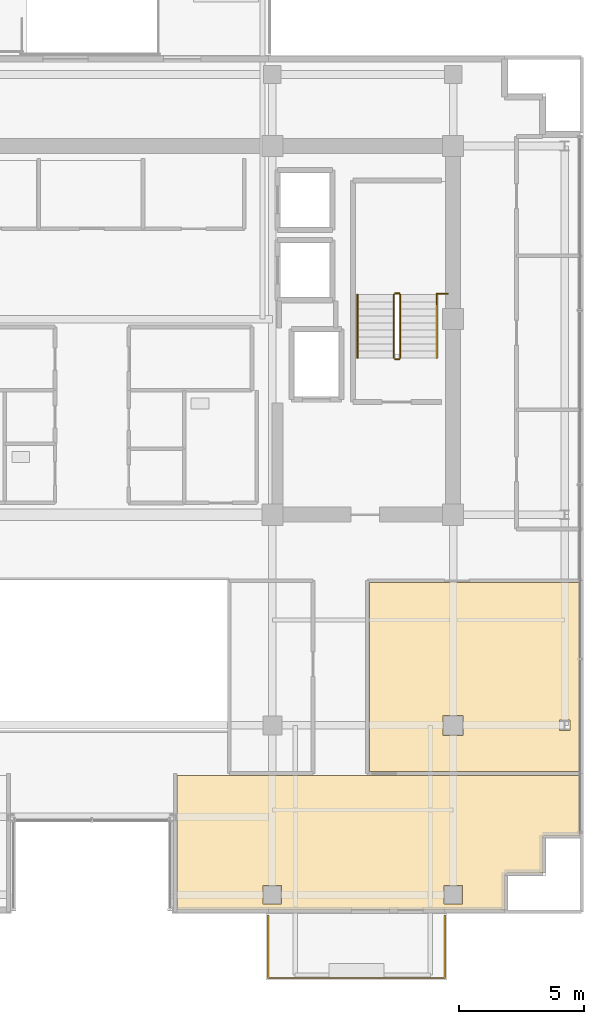
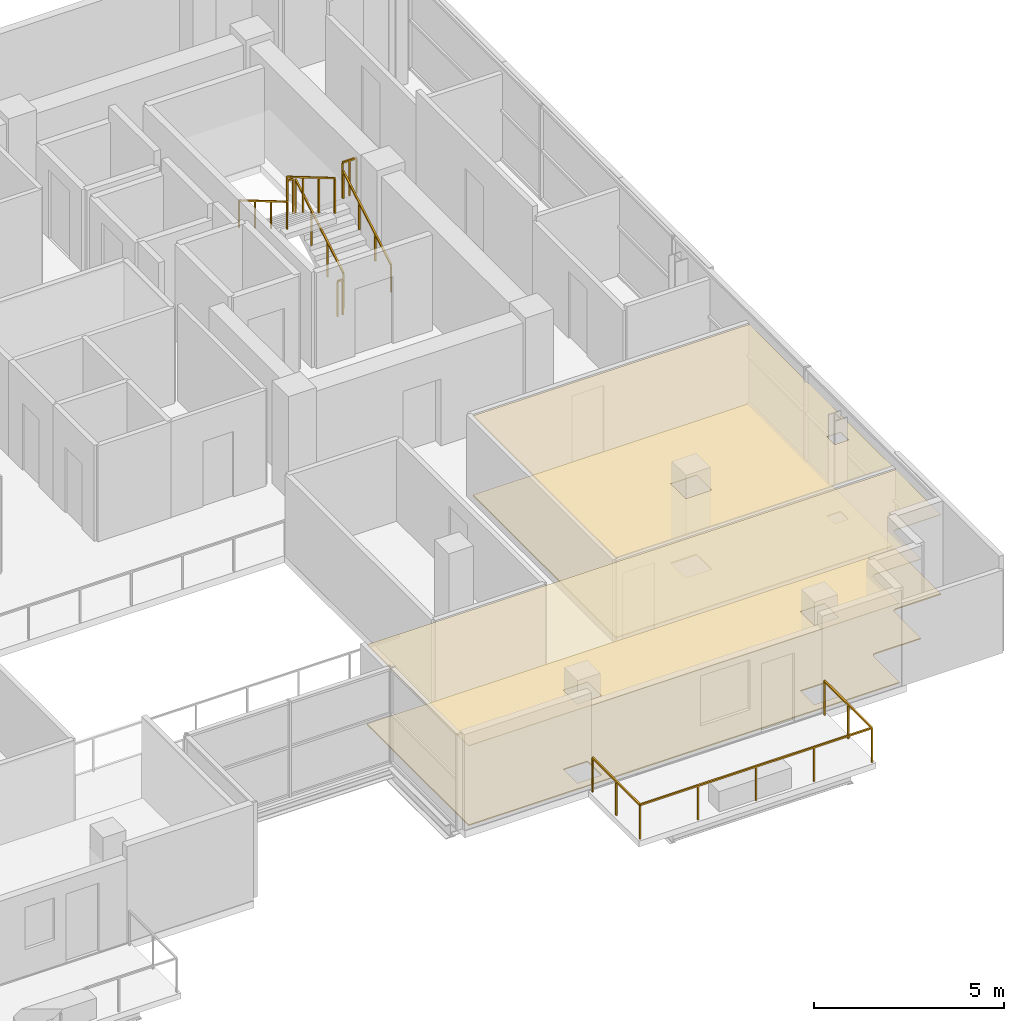
# One storey, part 22 of 24: 8 railings, 4 coverings.
"""IFC4 building model written with IfcOpenShell, lengths in metres."""

from ifc_helpers import new_model, si_unit, direction, frame, origin, origin_2d, place, context, subcontext, project, spatial, polyline, rectangle, outline, extrude, material, layer, layer_set, type_object, element, save


model = new_model("IFC4")

# Units and contexts
model_context = context("Model", 3, precision=1e-05, world=origin(), true_north=direction((0.0, 1.0)))
body_context = subcontext(model_context, "Body", "Model", "MODEL_VIEW")
ifc_project = project(units=[si_unit("LENGTHUNIT", "METRE"), si_unit("AREAUNIT", "SQUARE_METRE"), si_unit("VOLUMEUNIT", "CUBIC_METRE"), si_unit("PLANEANGLEUNIT", "RADIAN"), si_unit("MASSUNIT", "GRAM", prefix="KILO")], contexts=[model_context])

# Site, building, storey
site_placement = place(None, origin())
site = spatial("IfcSite", under=ifc_project, at=site_placement, CompositionType="ELEMENT")
building_placement = place(site_placement, origin())
building = spatial("IfcBuilding", under=site, at=building_placement, Name="Zarnakvel Exchange Tower", CompositionType="ELEMENT")
storey_placement = place(building_placement, frame((0.0, 0.0, 208.89990234375)))
storey = spatial("IfcBuildingStorey", under=building, at=storey_placement, Name="L58", CompositionType="ELEMENT", Elevation=208.89990234375)

# Coverings
ifc_material_1 = material(Name="Perforated Bronze Acoustic Metal Ceiling", Category="aluminium")
ifc_layer_1 = layer(ifc_material_1, 0.02001953125)
ifc_layer_set_1 = layer_set([ifc_layer_1], Name="Perforated Bronze Acoustic Metal Ceiling")
covering_type_1 = type_object("IfcCoveringType", Name="CLG-01", PredefinedType="CEILING", material=ifc_layer_set_1)
covering_1_placement = place(storey_placement, frame((0.0, 0.0, 2.55517578125)))
element("IfcCovering", 1, at=covering_1_placement, inside=storey, type_object=covering_type_1, Name="L58 Suspended Acoustic Ceiling (Executive Office)", PredefinedType="CEILING", context=body_context, shape_type="SweptSolid", body=[
    extrude(outline(polyline([(11.06005859375, -3.909912109375), (19.449951171875, -3.909912109375), (19.449951171875, -11.43994140625), (11.06005859375, -11.43994140625), (11.06005859375, -3.909912109375)]), holes=[polyline([(19.057373046875, -9.807373046875), (19.057373046875, -9.392578125), (18.642578125, -9.392578125), (18.642578125, -9.807373046875), (19.057373046875, -9.807373046875)]), polyline([(14.794921875, -9.9951171875), (14.794921875, -9.205078125), (14.0048828125, -9.205078125), (14.0048828125, -9.9951171875), (14.794921875, -9.9951171875)])]), origin(), (0.0, 0.0, 1.0), 0.02001953125),
])
covering_2_placement = place(storey_placement, frame((0.0, 0.0, 2.55517578125)))
element("IfcCovering", 2, at=covering_2_placement, inside=storey, type_object=covering_type_1, Name="L58 Suspended Acoustic Ceiling (Brokerage Workspace)", PredefinedType="CEILING", context=body_context, shape_type="SweptSolid", body=[
    extrude(outline(polyline([(3.39990234375, -11.60009765625), (19.449951171875, -11.60009765625), (19.449951171875, -13.97998046875), (18.10009765625, -13.97998046875), (18.088134765625, -13.98046875), (18.07666015625, -13.982421875), (18.065185546875, -13.985107421875), (18.05419921875, -13.989013671875), (18.04345703125, -13.994140625), (18.033447265625, -14.000244140625), (18.02392578125, -14.00732421875), (18.01513671875, -14.01513671875), (18.00732421875, -14.02392578125), (18.000244140625, -14.033447265625), (17.994140625, -14.04345703125), (17.989013671875, -14.05419921875), (17.985107421875, -14.065185546875), (17.982421875, -14.07666015625), (17.98046875, -14.088134765625), (17.97998046875, -14.10009765625), (17.97998046875, -15.47998046875), (16.60009765625, -15.47998046875), (16.588134765625, -15.48046875), (16.57666015625, -15.482421875), (16.565185546875, -15.485107421875), (16.55419921875, -15.489013671875), (16.54345703125, -15.494140625), (16.533447265625, -15.500244140625), (16.52392578125, -15.50732421875), (16.51513671875, -15.51513671875), (16.50732421875, -15.52392578125), (16.500244140625, -15.533447265625), (16.494140625, -15.54345703125), (16.489013671875, -15.55419921875), (16.485107421875, -15.565185546875), (16.482421875, -15.57666015625), (16.48046875, -15.588134765625), (16.47998046875, -15.60009765625), (16.47998046875, -16.949951171875), (3.39990234375, -16.949951171875), (3.39990234375, -11.60009765625)]), holes=[polyline([(14.77001953125, -16.719970703125), (14.77001953125, -15.97998046875), (14.030029296875, -15.97998046875), (14.030029296875, -16.719970703125), (14.77001953125, -16.719970703125)]), polyline([(7.570068359375, -15.97998046875), (6.830078125, -15.97998046875), (6.830078125, -16.719970703125), (7.570068359375, -16.719970703125), (7.570068359375, -15.97998046875)])]), origin(), (0.0, 0.0, 1.0), 0.02001953125),
])
ifc_material_2 = material(Name="Heavy-Duty Raised Access Floor Panel", Category="steel")
ifc_layer_2 = layer(ifc_material_2, 0.034912109375)
ifc_layer_set_2 = layer_set([ifc_layer_2], Name="Heavy-Duty Raised Access Floor Panel")
covering_type_2 = type_object("IfcCoveringType", Name="FLR-02", PredefinedType="FLOORING", material=ifc_layer_set_2)
covering_3_placement = place(storey_placement, origin())
element("IfcCovering", 3, at=covering_3_placement, inside=storey, type_object=covering_type_2, Name="L58 Floor Finish (Executive Office)", PredefinedType="FLOORING", context=body_context, shape_type="SweptSolid", body=[
    extrude(outline(polyline([(11.06005859375, -3.909912109375), (19.449951171875, -3.909912109375), (19.449951171875, -11.43994140625), (11.06005859375, -11.43994140625), (11.06005859375, -3.909912109375)]), holes=[polyline([(19.057373046875, -9.807373046875), (19.057373046875, -9.392578125), (18.642578125, -9.392578125), (18.642578125, -9.807373046875), (19.057373046875, -9.807373046875)]), polyline([(14.794921875, -9.9951171875), (14.794921875, -9.205078125), (14.0048828125, -9.205078125), (14.0048828125, -9.9951171875), (14.794921875, -9.9951171875)])]), origin(), (0.0, 0.0, 1.0), 0.03515625),
])
covering_4_placement = place(storey_placement, origin())
element("IfcCovering", 4, at=covering_4_placement, inside=storey, type_object=covering_type_2, Name="L58 Floor Finish (Brokerage Workspace)", PredefinedType="FLOORING", context=body_context, shape_type="SweptSolid", body=[
    extrude(outline(polyline([(3.39990234375, -11.60009765625), (19.449951171875, -11.60009765625), (19.449951171875, -13.97998046875), (18.10009765625, -13.97998046875), (18.088134765625, -13.98046875), (18.07666015625, -13.982421875), (18.065185546875, -13.985107421875), (18.05419921875, -13.989013671875), (18.04345703125, -13.994140625), (18.033447265625, -14.000244140625), (18.02392578125, -14.00732421875), (18.01513671875, -14.01513671875), (18.00732421875, -14.02392578125), (18.000244140625, -14.033447265625), (17.994140625, -14.04345703125), (17.989013671875, -14.05419921875), (17.985107421875, -14.065185546875), (17.982421875, -14.07666015625), (17.98046875, -14.088134765625), (17.97998046875, -14.10009765625), (17.97998046875, -15.47998046875), (16.60009765625, -15.47998046875), (16.588134765625, -15.48046875), (16.57666015625, -15.482421875), (16.565185546875, -15.485107421875), (16.55419921875, -15.489013671875), (16.54345703125, -15.494140625), (16.533447265625, -15.500244140625), (16.52392578125, -15.50732421875), (16.51513671875, -15.51513671875), (16.50732421875, -15.52392578125), (16.500244140625, -15.533447265625), (16.494140625, -15.54345703125), (16.489013671875, -15.55419921875), (16.485107421875, -15.565185546875), (16.482421875, -15.57666015625), (16.48046875, -15.588134765625), (16.47998046875, -15.60009765625), (16.47998046875, -16.949951171875), (3.39990234375, -16.949951171875), (3.39990234375, -11.60009765625)]), holes=[polyline([(14.77001953125, -16.719970703125), (14.77001953125, -15.97998046875), (14.030029296875, -15.97998046875), (14.030029296875, -16.719970703125), (14.77001953125, -16.719970703125)]), polyline([(7.570068359375, -15.97998046875), (6.830078125, -15.97998046875), (6.830078125, -16.719970703125), (7.570068359375, -16.719970703125), (7.570068359375, -15.97998046875)])]), origin(), (0.0, 0.0, 1.0), 0.03515625),
])

# Railings
ifc_material_3 = material(Name="Architectural Bronze Anodised Aluminium", Category="aluminium")
railing_type_1 = type_object("IfcRailingType", Name="GR-02", PredefinedType="GUARDRAIL", material=ifc_material_3)
railing_1_placement = place(storey_placement, frame((7.030029296875, -17.179931640625, -0.034912109375)))
element("IfcRailing", 5, at=railing_1_placement, inside=storey, type_object=railing_type_1, Name="L58 Balcony Guardrail BAL-L58-SE", PredefinedType="GUARDRAIL", context=body_context, shape_type="SweptSolid", body=[
    extrude(rectangle(XDim=0.048095703125, YDim=0.048095703125, at=origin_2d()), frame((0.0, 0.0, 1.09619140625), z_axis=(0.0, -1.0, 0.0), x_axis=(1.0, 0.0, 0.0)), (0.0, 0.0, 1.0), 2.489990234375),
    extrude(rectangle(XDim=0.048095703125, YDim=0.048095703125, at=origin_2d()), frame((0.0, -2.489990234375, 1.09619140625), z_axis=(1.0, 0.0, 0.0), x_axis=(0.0, 1.0, 0.0)), (0.0, 0.0, 1.0), 7.0400390625),
    extrude(rectangle(XDim=0.048095703125, YDim=0.048095703125, at=origin_2d()), frame((7.0400390625, -2.489990234375, 1.09619140625), z_axis=(0.0, 1.0, 0.0), x_axis=(-1.0, 0.0, 0.0)), (0.0, 0.0, 1.0), 2.489990234375),
    extrude(rectangle(XDim=0.0419921875, YDim=0.0419921875, at=origin_2d()), origin(), (0.0, 0.0, 1.0), 1.072021484375),
    extrude(rectangle(XDim=0.0419921875, YDim=0.0419921875, at=origin_2d()), frame((0.0, -1.2451171875, 0.0)), (0.0, 0.0, 1.0), 1.072021484375),
    extrude(rectangle(XDim=0.0419921875, YDim=0.0419921875, at=origin_2d()), frame((0.0, -2.489990234375, 0.0)), (0.0, 0.0, 1.0), 1.072021484375),
    extrude(rectangle(XDim=0.0419921875, YDim=0.0419921875, at=origin_2d()), frame((1.760009765625, -2.489990234375, 0.0)), (0.0, 0.0, 1.0), 1.072021484375),
    extrude(rectangle(XDim=0.0419921875, YDim=0.0419921875, at=origin_2d()), frame((3.52001953125, -2.489990234375, 0.0)), (0.0, 0.0, 1.0), 1.072021484375),
    extrude(rectangle(XDim=0.0419921875, YDim=0.0419921875, at=origin_2d()), frame((5.280029296875, -2.489990234375, 0.0)), (0.0, 0.0, 1.0), 1.072021484375),
    extrude(rectangle(XDim=0.0419921875, YDim=0.0419921875, at=origin_2d()), frame((7.0400390625, -2.489990234375, 0.0)), (0.0, 0.0, 1.0), 1.072021484375),
    extrude(rectangle(XDim=0.0419921875, YDim=0.0419921875, at=origin_2d()), frame((7.0400390625, -1.2451171875, 0.0)), (0.0, 0.0, 1.0), 1.072021484375),
    extrude(rectangle(XDim=0.0419921875, YDim=0.0419921875, at=origin_2d()), frame((7.0400390625, 0.0, 0.0)), (0.0, 0.0, 1.0), 1.072021484375),
])
ifc_material_4 = material(Name="Brushed Stainless Steel", Category="steel")
railing_type_2 = type_object("IfcRailingType", Name="HR-01", PredefinedType="HANDRAIL", material=ifc_material_4)
railing_2_placement = place(storey_placement, frame((13.75, 5.050048828125, 0.1650390625)))
element("IfcRailing", 6, at=railing_2_placement, inside=storey, type_object=railing_type_2, Name="L58 ST-02 stair handrail 1", PredefinedType="HANDRAIL", context=body_context, shape_type="SweptSolid", body=[
    extrude(rectangle(XDim=0.048095703125, YDim=0.048095703125, at=origin_2d()), frame((0.0, 0.0, 0.8759765625), z_axis=(0.0, 0.86152411907, 0.507716645641), x_axis=(-1.0, 0.0, 0.0)), (0.0, 0.0, 1.0), 2.925048828125),
    extrude(rectangle(XDim=0.0419921875, YDim=0.0419921875, at=origin_2d()), origin(), (0.0, 0.0, 1.0), 0.851806640625),
    extrude(rectangle(XDim=0.0419921875, YDim=0.0419921875, at=origin_2d()), frame((0.0, 0.840087890625, 0.4951171875)), (0.0, 0.0, 1.0), 0.851806640625),
    extrude(rectangle(XDim=0.0419921875, YDim=0.0419921875, at=origin_2d()), frame((0.0, 1.679931640625, 0.989990234375)), (0.0, 0.0, 1.0), 0.851806640625),
    extrude(rectangle(XDim=0.0419921875, YDim=0.0419921875, at=origin_2d()), frame((0.0, 2.52001953125, 1.485107421875)), (0.0, 0.0, 1.0), 0.851806640625),
])
railing_3_placement = place(storey_placement, frame((10.590087890625, 7.570068359375, 1.815185546875)))
element("IfcRailing", 7, at=railing_3_placement, inside=storey, type_object=railing_type_2, Name="L58 ST-02 stair handrail 2", PredefinedType="HANDRAIL", context=body_context, shape_type="SweptSolid", body=[
    extrude(rectangle(XDim=0.048095703125, YDim=0.048095703125, at=origin_2d()), frame((0.0, 0.0, 0.8759765625), z_axis=(0.0, -0.861560626758, 0.507654692109), x_axis=(1.0, 0.0, 0.0)), (0.0, 0.0, 1.0), 2.925048828125),
    extrude(rectangle(XDim=0.0419921875, YDim=0.0419921875, at=origin_2d()), origin(), (0.0, 0.0, 1.0), 0.851806640625),
    extrude(rectangle(XDim=0.0419921875, YDim=0.0419921875, at=origin_2d()), frame((0.0, -0.840087890625, 0.494873046875)), (0.0, 0.0, 1.0), 0.851806640625),
    extrude(rectangle(XDim=0.0419921875, YDim=0.0419921875, at=origin_2d()), frame((0.0, -1.679931640625, 0.989990234375)), (0.0, 0.0, 1.0), 0.851806640625),
    extrude(rectangle(XDim=0.0419921875, YDim=0.0419921875, at=origin_2d()), frame((0.0, -2.52001953125, 1.48486328125)), (0.0, 0.0, 1.0), 0.851806640625),
])
railing_type_3 = type_object("IfcRailingType", Name="SG-01", PredefinedType="GUARDRAIL", material=ifc_material_3)
railing_4_placement = place(storey_placement, frame((12.300048828125, 5.050048828125, 0.1650390625)))
element("IfcRailing", 8, at=railing_4_placement, inside=storey, type_object=railing_type_3, Name="L58 ST-02 stair guard 1", PredefinedType="GUARDRAIL", context=body_context, shape_type="SweptSolid", body=[
    extrude(rectangle(XDim=0.048095703125, YDim=0.048095703125, at=origin_2d()), frame((0.0, 0.0, 1.1259765625), z_axis=(0.0, 0.86152411907, 0.507716645641), x_axis=(-1.0, 0.0, 0.0)), (0.0, 0.0, 1.0), 2.925048828125),
    extrude(rectangle(XDim=0.0419921875, YDim=0.0419921875, at=origin_2d()), origin(), (0.0, 0.0, 1.0), 1.101806640625),
    extrude(rectangle(XDim=0.0419921875, YDim=0.0419921875, at=origin_2d()), frame((0.0, 0.840087890625, 0.4951171875)), (0.0, 0.0, 1.0), 1.101806640625),
    extrude(rectangle(XDim=0.0419921875, YDim=0.0419921875, at=origin_2d()), frame((0.0, 1.679931640625, 0.989990234375)), (0.0, 0.0, 1.0), 1.101806640625),
    extrude(rectangle(XDim=0.0419921875, YDim=0.0419921875, at=origin_2d()), frame((0.0, 2.52001953125, 1.485107421875)), (0.0, 0.0, 1.0), 1.101806640625),
])
railing_5_placement = place(storey_placement, frame((12.25, 7.6201171875, 1.650146484375)))
element("IfcRailing", 9, at=railing_5_placement, inside=storey, type_object=railing_type_3, Name="L58 ST-02 stair guard 2", PredefinedType="GUARDRAIL", context=body_context, shape_type="SweptSolid", body=[
    extrude(rectangle(XDim=0.048095703125, YDim=0.048095703125, at=origin_2d()), frame((0.0, 0.0, 1.1259765625), z_axis=(-1.0, 0.0, 0.0), x_axis=(0.0, -1.0, 0.0)), (0.0, 0.0, 1.0), 0.159912109375),
    extrude(rectangle(XDim=0.0419921875, YDim=0.0419921875, at=origin_2d()), origin(), (0.0, 0.0, 1.0), 1.101806640625),
    extrude(rectangle(XDim=0.0419921875, YDim=0.0419921875, at=origin_2d()), frame((-0.159912109375, 0.0, 0.0)), (0.0, 0.0, 1.0), 1.101806640625),
])
railing_6_placement = place(storey_placement, frame((12.0400390625, 7.570068359375, 1.815185546875)))
element("IfcRailing", 10, at=railing_6_placement, inside=storey, type_object=railing_type_3, Name="L58 ST-02 stair guard 3", PredefinedType="GUARDRAIL", context=body_context, shape_type="SweptSolid", body=[
    extrude(rectangle(XDim=0.048095703125, YDim=0.048095703125, at=origin_2d()), frame((0.0, 0.0, 1.1259765625), z_axis=(0.0, -0.861560626758, 0.507654692109), x_axis=(1.0, 0.0, 0.0)), (0.0, 0.0, 1.0), 2.925048828125),
    extrude(rectangle(XDim=0.0419921875, YDim=0.0419921875, at=origin_2d()), origin(), (0.0, 0.0, 1.0), 1.101806640625),
    extrude(rectangle(XDim=0.0419921875, YDim=0.0419921875, at=origin_2d()), frame((0.0, -0.840087890625, 0.494873046875)), (0.0, 0.0, 1.0), 1.101806640625),
    extrude(rectangle(XDim=0.0419921875, YDim=0.0419921875, at=origin_2d()), frame((0.0, -1.679931640625, 0.989990234375)), (0.0, 0.0, 1.0), 1.101806640625),
    extrude(rectangle(XDim=0.0419921875, YDim=0.0419921875, at=origin_2d()), frame((0.0, -2.52001953125, 1.48486328125)), (0.0, 0.0, 1.0), 1.101806640625),
])
railing_7_placement = place(storey_placement, frame((12.25, 5.0, 0.0)))
element("IfcRailing", 11, at=railing_7_placement, inside=storey, type_object=railing_type_3, Name="L58 ST-02 stair guard 4", PredefinedType="GUARDRAIL", context=body_context, shape_type="SweptSolid", body=[
    extrude(rectangle(XDim=0.048095703125, YDim=0.048095703125, at=origin_2d()), frame((0.0, 0.0, 1.1259765625), z_axis=(-1.0, 0.0, 0.0), x_axis=(0.0, -1.0, 0.0)), (0.0, 0.0, 1.0), 0.159912109375),
    extrude(rectangle(XDim=0.0419921875, YDim=0.0419921875, at=origin_2d()), origin(), (0.0, 0.0, 1.0), 1.101806640625),
    extrude(rectangle(XDim=0.0419921875, YDim=0.0419921875, at=origin_2d()), frame((-0.159912109375, 0.0, 0.0)), (0.0, 0.0, 1.0), 1.101806640625),
])
railing_8_placement = place(storey_placement, frame((13.75, 7.610107421875, 1.650146484375)))
element("IfcRailing", 12, at=railing_8_placement, inside=storey, type_object=railing_type_3, Name="L58 ST-02 Landing Slot Guardrail", PredefinedType="GUARDRAIL", context=body_context, shape_type="SweptSolid", body=[
    extrude(rectangle(XDim=0.048095703125, YDim=0.048095703125, at=origin_2d()), frame((0.0, 0.0, 1.1259765625), z_axis=(1.0, 0.0, 0.0), x_axis=(0.0, 1.0, 0.0)), (0.0, 0.0, 1.0), 0.429931640625),
    extrude(rectangle(XDim=0.0419921875, YDim=0.0419921875, at=origin_2d()), origin(), (0.0, 0.0, 1.0), 1.101806640625),
    extrude(rectangle(XDim=0.0419921875, YDim=0.0419921875, at=origin_2d()), frame((0.21484375, 0.0, 0.0)), (0.0, 0.0, 1.0), 1.101806640625),
    extrude(rectangle(XDim=0.0419921875, YDim=0.0419921875, at=origin_2d()), frame((0.429931640625, 0.0, 0.0)), (0.0, 0.0, 1.0), 1.101806640625),
])

save(model, "model.ifc")
